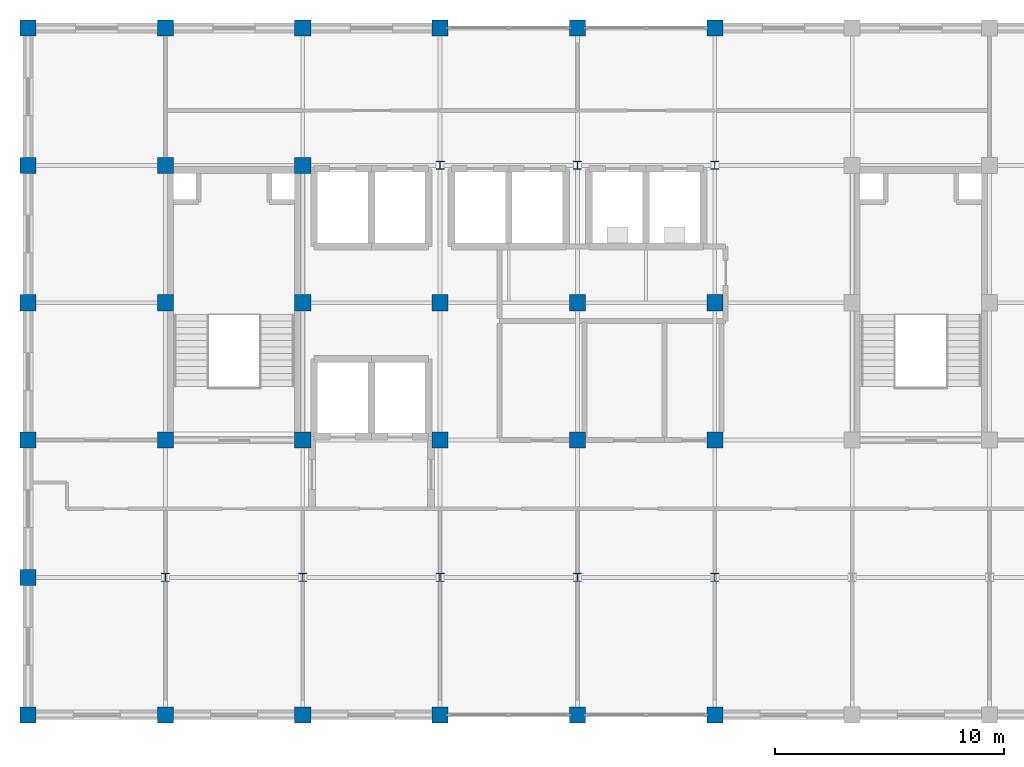
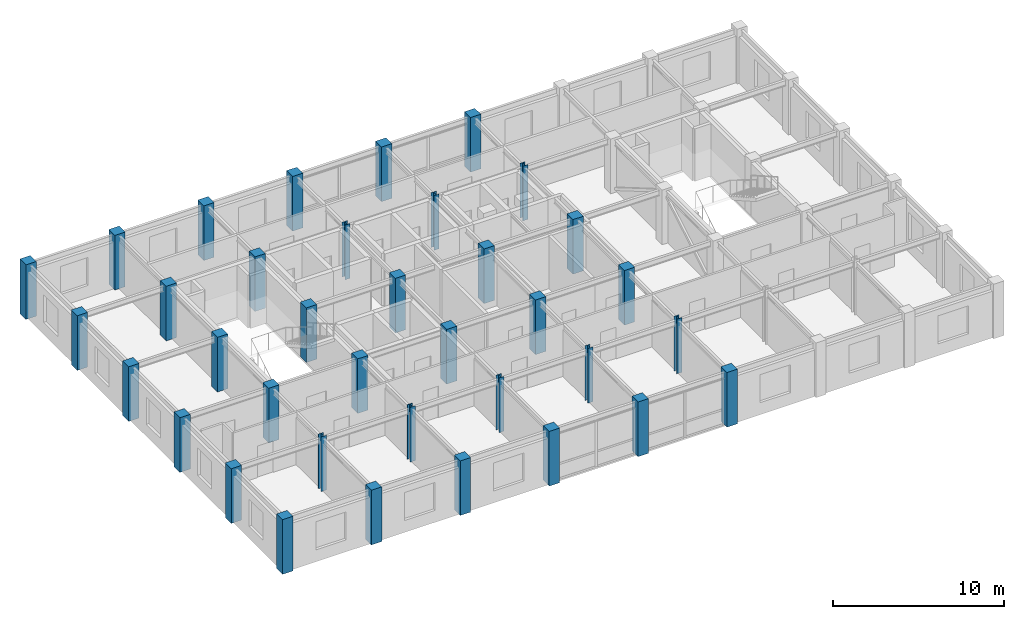
# One storey, part 1 of 12: 36 columns.
"""IFC4 building model written with IfcOpenShell, lengths in metres."""

from ifc_helpers import new_model, si_unit, direction, frame, origin, origin_2d, place, context, subcontext, project, spatial, rectangle, i_section, extrude, material, material_profile, profile_set, type_object, element, save


model = new_model("IFC4")

# Units and contexts
model_context = context("Model", 3, precision=1e-05, world=origin(), true_north=direction((0.0, 1.0)))
body_context = subcontext(model_context, "Body", "Model", "MODEL_VIEW")
ifc_project = project(units=[si_unit("LENGTHUNIT", "METRE"), si_unit("AREAUNIT", "SQUARE_METRE"), si_unit("VOLUMEUNIT", "CUBIC_METRE"), si_unit("PLANEANGLEUNIT", "RADIAN"), si_unit("MASSUNIT", "GRAM", prefix="KILO")], contexts=[model_context])

# Site, building, storey
site_placement = place(None, origin())
site = spatial("IfcSite", under=ifc_project, at=site_placement, CompositionType="ELEMENT")
building_placement = place(site_placement, origin())
building = spatial("IfcBuilding", under=site, at=building_placement, Name="Zlatovratsky Civic Hall", CompositionType="ELEMENT")
storey_placement = place(building_placement, frame((0.0, 0.0, 40.5)))
storey = spatial("IfcBuildingStorey", under=building, at=storey_placement, Name="L10", CompositionType="ELEMENT", Elevation=40.5)

# Columns
ifc_material_1 = material(Name="Concrete C35/45 (B40)", Category="concrete")
ifc_material_profile_1 = material_profile(ifc_material_1, rectangle(XDim=0.699951171875, YDim=0.699951171875, at=origin_2d()), Name="RC 700x700")
ifc_profile_set_1 = profile_set([ifc_material_profile_1], Name="Concrete C35/45 (B40)")
column_type_1 = type_object("IfcColumnType", Name="Col_CorePier_RC700", PredefinedType="COLUMN", material=ifc_profile_set_1)
for number, where, z_axis, x_axis, name in (
    (1, (60.0, 72.0, 0.0), (0.0, 0.0, 1.0), (1.0, 0.0, 0.0), "CL-2303"),
    (2, (66.0, 72.0, 0.0), (0.0, 0.0, 1.0), (1.0, 0.0, 0.0), "CL-2304"),
    (3, (72.0, 72.0, 0.0), (0.0, 0.0, 1.0), (1.0, 0.0, 0.0), "CL-2305"),
    (4, (78.0, 72.0, 0.0), (0.0, 0.0, 1.0), (1.0, 0.0, 0.0), "CL-2306"),
    (5, (84.0, 72.0, 0.0), (0.0, 0.0, 1.0), (1.0, 0.0, 0.0), "CL-2307"),
    (6, (90.0, 72.0, 0.0), (0.0, 0.0, 1.0), (1.0, 0.0, 0.0), "CL-2308"),
    (7, (60.0, 78.0, 0.0), (0.0, 0.0, 1.0), (1.0, 0.0, 0.0), "CL-2312"),
    (8, (60.0, 84.0, 0.0), (0.0, 0.0, 1.0), (1.0, 0.0, 0.0), "CL-2321"),
    (9, (66.0, 84.0, 0.0), (0.0, 0.0, 1.0), (1.0, 0.0, 0.0), "CL-2322"),
    (10, (72.0, 84.0, 0.0), (0.0, 0.0, 1.0), (1.0, 0.0, 0.0), "CL-2323"),
    (11, (78.0, 84.0, 0.0), (0.0, 0.0, 1.0), (1.0, 0.0, 0.0), "CL-2324"),
    (12, (84.0, 84.0, 0.0), (0.0, 0.0, 1.0), (1.0, 0.0, 0.0), "CL-2325"),
    (13, (90.0, 84.0, 0.0), (0.0, 0.0, 1.0), (1.0, 0.0, 0.0), "CL-2326"),
    (14, (60.0, 90.0, 0.0), (0.0, 0.0, 1.0), (1.0, 0.0, 0.0), "CL-2330"),
    (15, (66.0, 90.0, 0.0), (0.0, 0.0, 1.0), (1.0, 0.0, 0.0), "CL-2331"),
    (16, (72.0, 90.0, 0.0), (0.0, 0.0, 1.0), (1.0, 0.0, 0.0), "CL-2332"),
    (17, (78.0, 90.0, 0.0), (0.0, 0.0, 1.0), (1.0, 0.0, 0.0), "CL-2333"),
    (18, (84.0, 90.0, 0.0), (0.0, 0.0, 1.0), (1.0, 0.0, 0.0), "CL-2334"),
    (19, (90.0, 90.0, 0.0), (0.0, 0.0, 1.0), (1.0, 0.0, 0.0), "CL-2335"),
    (20, (60.0, 96.0, 0.0), (0.0, 0.0, 1.0), (1.0, 0.0, 0.0), "CL-2339"),
    (21, (66.0, 96.0, 0.0), (0.0, 0.0, 1.0), (1.0, 0.0, 0.0), "CL-2340"),
    (22, (72.0, 96.0, 0.0), (0.0, 0.0, 1.0), (1.0, 0.0, 0.0), "CL-2341"),
    (23, (60.0, 102.0, 0.0), (0.0, 0.0, 1.0), (1.0, 0.0, 0.0), "CL-2348"),
    (24, (66.0, 102.0, 0.0), (0.0, 0.0, 1.0), (1.0, 0.0, 0.0), "CL-2349"),
    (25, (72.0, 102.0, 0.0), (0.0, 0.0, 1.0), (1.0, 0.0, 0.0), "CL-2350"),
    (26, (78.0, 102.0, 0.0), (0.0, 0.0, 1.0), (1.0, 0.0, 0.0), "CL-2351"),
    (27, (84.0, 102.0, 0.0), (0.0, 0.0, 1.0), (1.0, 0.0, 0.0), "CL-2352"),
    (28, (90.0, 102.0, 0.0), (0.0, 0.0, 1.0), (1.0, 0.0, 0.0), "CL-2353"),
):
    element("IfcColumn", number, at=place(storey_placement, frame(where, z_axis=z_axis, x_axis=x_axis)), inside=storey, type_object=column_type_1, Name=name, PredefinedType="COLUMN", context=body_context, shape_type="SweptSolid", body=[
        extrude(rectangle(XDim=0.699951171875, YDim=0.699951171875, at=origin_2d()), origin(), (0.0, 0.0, 1.0), 3.89990234375),
    ])
ifc_material_2 = material(Name="Steel S355", Category="steel")
ifc_material_profile_2 = material_profile(ifc_material_2, i_section(OverallWidth=0.35009765625, OverallDepth=0.35009765625, WebThickness=0.011962890625, FlangeThickness=0.01904296875, FilletRadius=0.02001953125, at=origin_2d()), Name="35K2")
ifc_profile_set_2 = profile_set([ifc_material_profile_2], Name="Steel S355")
column_type_2 = type_object("IfcColumnType", Name="Col_Steel_35K2", PredefinedType="COLUMN", material=ifc_profile_set_2)
for number, where, z_axis, x_axis, name in (
    (29, (66.0, 78.0, 0.0), (0.0, 0.0, 1.0), (1.0, 0.0, 0.0), "CL-2313"),
    (30, (72.0, 78.0, 0.0), (0.0, 0.0, 1.0), (1.0, 0.0, 0.0), "CL-2314"),
    (31, (78.0, 78.0, 0.0), (0.0, 0.0, 1.0), (1.0, 0.0, 0.0), "CL-2315"),
    (32, (84.0, 78.0, 0.0), (0.0, 0.0, 1.0), (1.0, 0.0, 0.0), "CL-2316"),
    (33, (90.0, 78.0, 0.0), (0.0, 0.0, 1.0), (1.0, 0.0, 0.0), "CL-2317"),
    (34, (78.0, 96.0, 0.0), (0.0, 0.0, 1.0), (1.0, 0.0, 0.0), "CL-2342"),
    (35, (84.0, 96.0, 0.0), (0.0, 0.0, 1.0), (1.0, 0.0, 0.0), "CL-2343"),
    (36, (90.0, 96.0, 0.0), (0.0, 0.0, 1.0), (1.0, 0.0, 0.0), "CL-2344"),
):
    element("IfcColumn", number, at=place(storey_placement, frame(where, z_axis=z_axis, x_axis=x_axis)), inside=storey, type_object=column_type_2, Name=name, PredefinedType="COLUMN", context=body_context, shape_type="SweptSolid", body=[
        extrude(i_section(OverallWidth=0.35009765625, OverallDepth=0.35009765625, WebThickness=0.011962890625, FlangeThickness=0.01904296875, FilletRadius=0.02001953125, at=origin_2d()), origin(), (0.0, 0.0, 1.0), 3.89990234375),
    ])

save(model, "model.ifc")
